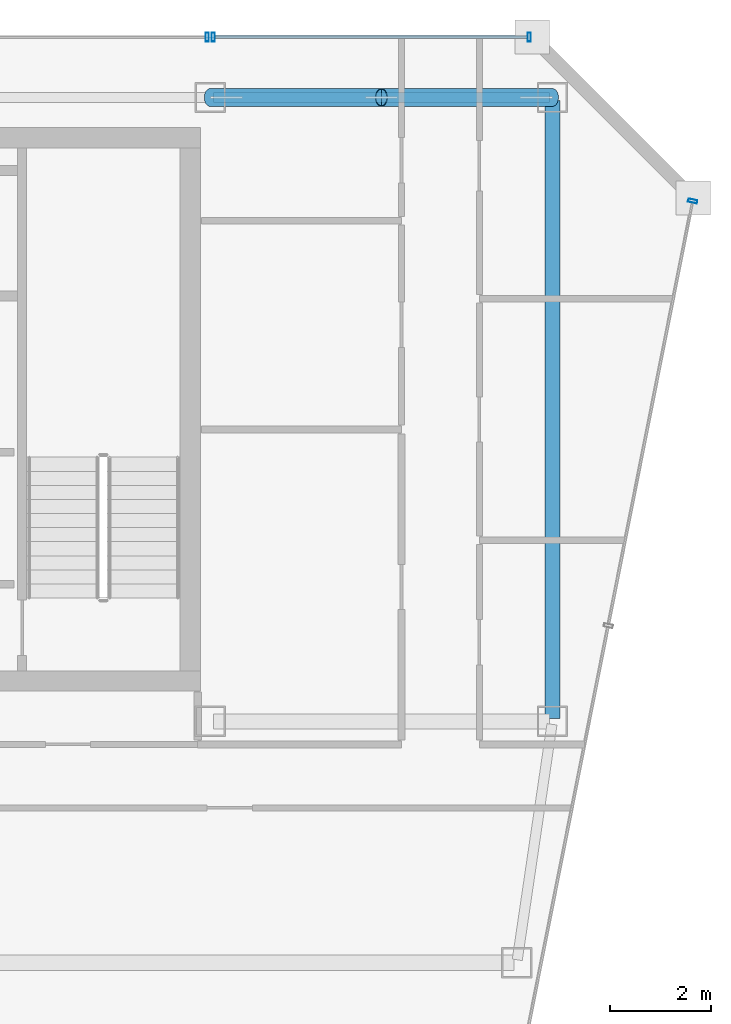
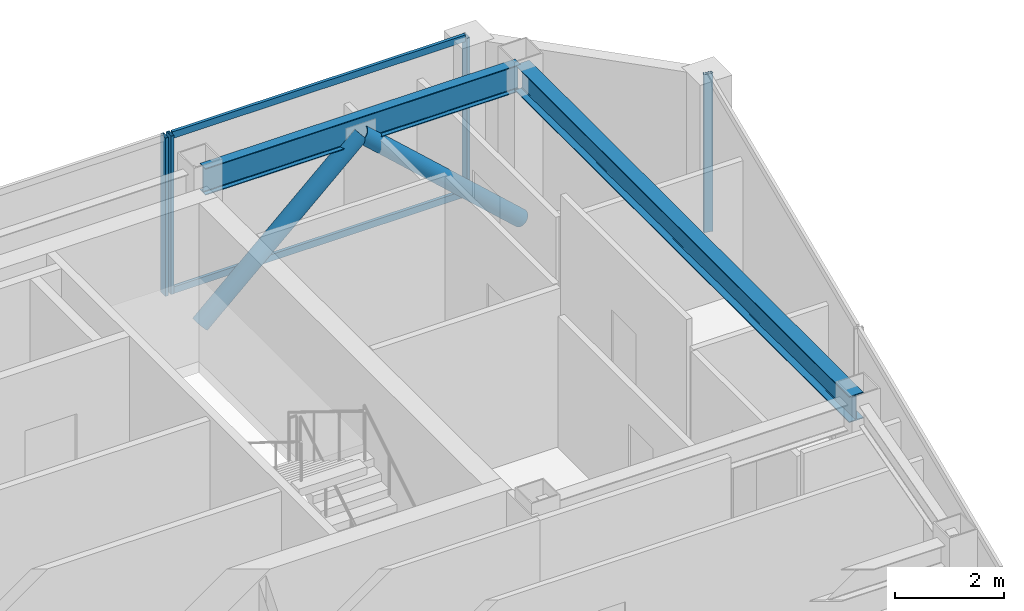
# One storey, part 16 of 23: 8 members, 2 beams, 3 elements without a shape of their own.
"""IFC4 building model written with IfcOpenShell, lengths in metres."""

import ifcopenshell
import ifcopenshell.guid

model = None  # the IFC model being written
_history = None  # IfcOwnerHistory: only IFC2X3 demands one
_inside = {}  # id of a spatial element -> (the spatial element, [elements in it])
_under = {}  # id of a project, library or spatial element -> (it, [spatial elements below it])
_declared = {}  # id of a project -> (the project, [libraries it declares])
_typed = {}  # id of a type object -> (the type object, [elements of that type])
_made_of = {}  # id of a material, layer set ... -> (it, [elements and type objects made of it])


def new_model(schema):
    """Start an empty IFC model of exactly this schema.

    Asked for "IFC4X3", IfcOpenShell would pick the latest addendum, in which some entities
    have other attributes; the version numbers below select the first issue.
    IFC2X3 requires an IfcOwnerHistory on every rooted entity: one is made here for all.
    """
    global model, _history
    if schema == "IFC4X3":
        model = ifcopenshell.file(schema_version=(4, 3, 0, 0))
    else:
        model = ifcopenshell.file(schema=schema)
    _inside.clear()
    _under.clear()
    _declared.clear()
    _typed.clear()
    _made_of.clear()
    _history = None
    if model.schema == "IFC2X3":
        org = make("IfcOrganization", Name="unknown")
        user = make(
            "IfcPersonAndOrganization",
            ThePerson=make("IfcPerson", FamilyName="unknown"),
            TheOrganization=org,
        )
        app = make(
            "IfcApplication",
            ApplicationDeveloper=org,
            Version="unknown",
            ApplicationFullName="unknown",
            ApplicationIdentifier="unknown",
        )
        _history = make(
            "IfcOwnerHistory",
            OwningUser=user,
            OwningApplication=app,
            ChangeAction="ADDED",
            CreationDate=0,
        )
    return model


def make(cls, **values):
    """One entity of the class cls with the attributes given. An attribute that is None is left unset."""
    return model.create_entity(
        cls, **{name: value for name, value in values.items() if value is not None}
    )


def rooted(cls, **values):
    """An entity with a GlobalId (a new one), such as an element, a storey or a relation."""
    return make(cls, GlobalId=ifcopenshell.guid.new(), OwnerHistory=_history, **values)


def si_unit(unit_type, name, prefix=None):
    """IfcSIUnit, for example si_unit("LENGTHUNIT", "METRE", prefix="MILLI")."""
    return make("IfcSIUnit", UnitType=unit_type, Prefix=prefix, Name=name)


def assignment(units):
    """IfcUnitAssignment: the units of a project."""
    return None if units is None else make("IfcUnitAssignment", Units=units)


def point(xyz):
    """IfcCartesianPoint."""
    return None if xyz is None else make("IfcCartesianPoint", Coordinates=xyz)


def direction(xyz):
    """IfcDirection."""
    return None if xyz is None else make("IfcDirection", DirectionRatios=xyz)


def frame(location, z_axis=None, x_axis=None):
    """IfcAxis2Placement3D, a coordinate frame: its origin and axes. An axis left out is left unset."""
    return make(
        "IfcAxis2Placement3D",
        Location=point(location),
        Axis=direction(z_axis),
        RefDirection=direction(x_axis),
    )


def frame_2d(location, x_axis=None):
    """IfcAxis2Placement2D, a coordinate frame in the plane: its origin and x axis."""
    return make(
        "IfcAxis2Placement2D", Location=point(location), RefDirection=direction(x_axis)
    )


def origin():
    """The frame at (0, 0, 0) with its axes left unset."""
    return frame((0.0, 0.0, 0.0))


def origin_2d():
    """The frame at (0, 0) in the plane with its x axis left unset."""
    return frame_2d((0.0, 0.0))


def place(relative_to, where):
    """IfcLocalPlacement: puts the frame where relative to a parent placement (None: the world)."""
    return make(
        "IfcLocalPlacement", PlacementRelTo=relative_to, RelativePlacement=where
    )


def context(
    kind, dimensions, precision=None, world=None, true_north=None, identifier=None
):
    """IfcGeometricRepresentationContext, for example the 3D "Model" context."""
    return make(
        "IfcGeometricRepresentationContext",
        ContextIdentifier=identifier,
        ContextType=kind,
        CoordinateSpaceDimension=dimensions,
        Precision=precision,
        WorldCoordinateSystem=world,
        TrueNorth=true_north,
    )


def subcontext(parent, identifier, kind, view, scale=None):
    """IfcGeometricRepresentationSubContext, for example "Body" below "Model"."""
    return make(
        "IfcGeometricRepresentationSubContext",
        ContextIdentifier=identifier,
        ContextType=kind,
        ParentContext=parent,
        TargetScale=scale,
        TargetView=view,
    )


def project(units=None, contexts=None):
    """IfcProject with its units and contexts."""
    return rooted(
        "IfcProject",
        Name="project",
        RepresentationContexts=contexts,
        UnitsInContext=assignment(units),
    )


def spatial(cls, under=None, at=None, **own):
    """A site, building, storey or space (cls), placed at a placement, below another one or the project."""
    s = rooted(cls, ObjectPlacement=at, **own)
    if under is not None:
        _under.setdefault(under.id(), (under, []))[1].append(s)
    return s


def profile(cls, at=None, kind="AREA", **sizes):
    """A parametric profile (cls). Its sizes go by their IFC names, for example OverallWidth=200.0."""
    return make(cls, ProfileType=kind, Position=at, **sizes)


def hollow_rectangle(**sizes):
    """IfcRectangleHollowProfileDef."""
    return profile("IfcRectangleHollowProfileDef", **sizes)


def hollow_circle(**sizes):
    """IfcCircleHollowProfileDef."""
    return profile("IfcCircleHollowProfileDef", **sizes)


def i_section(**sizes):
    """IfcIShapeProfileDef."""
    return profile("IfcIShapeProfileDef", **sizes)


def extrude(swept, where, along, depth):
    """IfcExtrudedAreaSolid: the profile swept, set in the frame where, extruded along a direction by depth."""
    return make(
        "IfcExtrudedAreaSolid",
        SweptArea=swept,
        Position=where,
        ExtrudedDirection=direction(along),
        Depth=depth,
    )


def shape(context_of_items, identifier, shape_type, items):
    """IfcShapeRepresentation: the items that make up one representation, for example the "Body"."""
    return make(
        "IfcShapeRepresentation",
        ContextOfItems=context_of_items,
        RepresentationIdentifier=identifier,
        RepresentationType=shape_type,
        Items=items,
    )


def material(Name=None, Category=None):
    """IfcMaterial."""
    return make("IfcMaterial", Name=Name, Category=Category)


def material_profile(
    of_material, cross_section, Name=None, Category=None, Priority=None
):
    """IfcMaterialProfile: a cross section and its material."""
    return make(
        "IfcMaterialProfile",
        Name=Name,
        Material=of_material,
        Profile=cross_section,
        Priority=Priority,
        Category=Category,
    )


def profile_set(profiles, Name=None, composite=None):
    """IfcMaterialProfileSet."""
    return make(
        "IfcMaterialProfileSet",
        Name=Name,
        MaterialProfiles=profiles,
        CompositeProfile=composite,
    )


def made_of(thing, what):
    """Note that an element or type object is made of a material, layer set ...; save() writes the relation."""
    if what is not None:
        _made_of.setdefault(what.id(), (what, []))[1].append(thing)
    return thing


def type_object(cls, material=None, **own):
    """A type object (cls), such as IfcWallType, which elements share."""
    return made_of(rooted(cls, **own), material)


def element(
    cls,
    number,
    at=None,
    inside=None,
    cuts=None,
    type_object=None,
    material=None,
    context=None,
    identifier="Body",
    shape_type=None,
    held_by="IfcProductDefinitionShape",
    body=None,
    shapes=None,
    **own,
):
    """One element of the class cls, such as IfcWall. Its Tag is "e" and its number.

    at: its placement. inside: the storey or other place that contains it. cuts: it is an
    opening in that element (IfcRelVoidsElement). A single representation is given by context,
    identifier, shape_type and body (its items); several are given by shapes. held_by: the class
    of the entity that holds the representations. save() writes the other relations.
    """
    e = rooted(cls, Tag="e%d" % number, ObjectPlacement=at, **own)
    if body is not None:
        shapes = [shape(context, identifier, shape_type, body)]
    if shapes is not None:
        e.Representation = make(held_by, Representations=shapes)
    if inside is not None:
        _inside.setdefault(inside.id(), (inside, []))[1].append(e)
    if cuts is not None:
        rooted(
            "IfcRelVoidsElement", RelatingBuildingElement=cuts, RelatedOpeningElement=e
        )
    if type_object is not None:
        _typed.setdefault(type_object.id(), (type_object, []))[1].append(e)
    return made_of(e, material)


def aggregate(whole, parts):
    """IfcRelAggregates: a whole, such as a stair, and the parts it consists of."""
    return rooted("IfcRelAggregates", RelatingObject=whole, RelatedObjects=parts)


def save(model, path):
    """Write the relations noted so far, then the file.

    IfcRelAggregates (storeys below a building ...), IfcRelContainedInSpatialStructure (elements
    in a storey), IfcRelDefinesByType, IfcRelAssociatesMaterial and IfcRelDeclares: one each for
    every whole, place, type object, material and project.
    """
    for whole, parts in _under.values():
        aggregate(whole, parts)
    for where, things in _inside.values():
        rooted(
            "IfcRelContainedInSpatialStructure",
            RelatedElements=things,
            RelatingStructure=where,
        )
    for kind, things in _typed.values():
        rooted("IfcRelDefinesByType", RelatedObjects=things, RelatingType=kind)
    for what, things in _made_of.values():
        rooted("IfcRelAssociatesMaterial", RelatedObjects=things, RelatingMaterial=what)
    for by, libraries in _declared.values():
        rooted("IfcRelDeclares", RelatingContext=by, RelatedDefinitions=libraries)
    model.write(path)


model = new_model("IFC4")

# Units and contexts
model_context = context("Model", 3, precision=1e-05, world=origin(), true_north=direction((0.0, 1.0)))
body_context = subcontext(model_context, "Body", "Model", "MODEL_VIEW")
ifc_project = project(units=[si_unit("LENGTHUNIT", "METRE"), si_unit("AREAUNIT", "SQUARE_METRE"), si_unit("VOLUMEUNIT", "CUBIC_METRE"), si_unit("PLANEANGLEUNIT", "RADIAN"), si_unit("MASSUNIT", "GRAM", prefix="KILO")], contexts=[model_context])

# Site, building, storey
site_placement = place(None, origin())
site = spatial("IfcSite", under=ifc_project, at=site_placement, CompositionType="ELEMENT")
building_placement = place(site_placement, origin())
building = spatial("IfcBuilding", under=site, at=building_placement, Name="Saevonmaru Cultural Tower", CompositionType="ELEMENT")
storey_placement = place(building_placement, frame((0.0, 0.0, 302.800048828125)))
storey = spatial("IfcBuildingStorey", under=building, at=storey_placement, Name="L72", CompositionType="ELEMENT", Elevation=302.800048828125)

# Beams
ifc_material_1 = material(Name="Steel SM355", Category="steel")
ifc_material_profile_1 = material_profile(ifc_material_1, i_section(OverallWidth=0.300048828125, OverallDepth=0.587890625, WebThickness=0.011962890625, FlangeThickness=0.02001953125, FilletRadius=0.02392578125, at=origin_2d()), Name="H-588x300x12x20")
ifc_profile_set_1 = profile_set([ifc_material_profile_1], Name="Steel SM355")
beam_type_1 = type_object("IfcBeamType", Name="BM-G-H588", PredefinedType="BEAM", material=ifc_profile_set_1)
beam_1_placement = place(storey_placement, frame((53.199951171875, 54.739990234375, 3.255859375), z_axis=(0.0, -1.0, 0.0), x_axis=(1.0, 0.0, 0.0)))
element("IfcBeam", 1, at=beam_1_placement, inside=storey, type_object=beam_type_1, Name="L72 Spine Transverse Girder E", PredefinedType="BEAM", context=body_context, shape_type="SweptSolid", body=[
    extrude(i_section(OverallWidth=0.300048828125, OverallDepth=0.587890625, WebThickness=0.011962890625, FlangeThickness=0.02001953125, FilletRadius=0.02392578125, at=origin_2d()), origin(), (0.0, 0.0, 1.0), 12.280029296875),
])
ifc_material_profile_2 = material_profile(ifc_material_1, i_section(OverallWidth=0.199951171875, OverallDepth=0.60009765625, WebThickness=0.010986328125, FlangeThickness=0.01708984375, FilletRadius=0.02197265625, at=origin_2d()), Name="H-600x200x11x17")
ifc_profile_set_2 = profile_set([ifc_material_profile_2], Name="Steel SM355")
beam_type_2 = type_object("IfcBeamType", Name="BM-SP-H600", PredefinedType="SPANDREL", material=ifc_profile_set_2)
beam_2_placement = place(storey_placement, frame((46.4599609375, 54.800048828125, 3.25), z_axis=(1.0, 0.0, 0.0), x_axis=(0.0, 1.0, 0.0)))
element("IfcBeam", 2, at=beam_2_placement, inside=storey, type_object=beam_type_2, Name="L72 North Spine Girder 5", PredefinedType="SPANDREL", context=body_context, shape_type="SweptSolid", body=[
    extrude(i_section(OverallWidth=0.199951171875, OverallDepth=0.60009765625, WebThickness=0.010986328125, FlangeThickness=0.01708984375, FilletRadius=0.02197265625, at=origin_2d()), origin(), (0.0, 0.0, 1.0), 6.679931640625),
])

# Members
ifc_material_profile_3 = material_profile(ifc_material_1, hollow_circle(Radius=0.177734375, WallThickness=0.01611328125, at=origin_2d()), Name="CHS-355.6x16")
ifc_profile_set_3 = profile_set([ifc_material_profile_3], Name="Steel SM355")
member_type_1 = type_object("IfcMemberType", Name="MB-PBR-CHS356", PredefinedType="BRACE", material=ifc_profile_set_3)
member_1_placement = place(storey_placement, frame((46.39990234375, 54.800048828125, 0.02001953125), z_axis=(0.738986146064, 0.0, 0.673720621568), x_axis=(0.0, 1.0, 0.0)))
element("IfcMember", 3, at=member_1_placement, inside=storey, type_object=member_type_1, Name="L72 Perimeter Braced-Tube Diagonal EN1", PredefinedType="BRACE", context=body_context, shape_type="SweptSolid", body=[
    extrude(hollow_circle(Radius=0.177734375, WallThickness=0.01611328125, at=origin_2d()), origin(), (0.0, 0.0, 1.0), 4.60107421875),
])
member_2_placement = place(storey_placement, frame((53.199951171875, 54.800048828125, 0.02001953125), z_axis=(-0.738962060105, 0.0, 0.673747039864), x_axis=(0.0, -1.0, 0.0)))
element("IfcMember", 4, at=member_2_placement, inside=storey, type_object=member_type_1, Name="L72 Perimeter Braced-Tube Diagonal EN2", PredefinedType="BRACE", context=body_context, shape_type="SweptSolid", body=[
    extrude(hollow_circle(Radius=0.177734375, WallThickness=0.01611328125, at=origin_2d()), origin(), (0.0, 0.0, 1.0), 4.600830078125),
])

# Curtain wall, member
ifc_material_2 = material(Name="Satin Bronze Anodised Aluminium", Category="aluminium")
curtain_wall_type = type_object("IfcCurtainWallType", Name="CW-TYP-B", PredefinedType="NOTDEFINED", material=ifc_material_2)
curtain_wall_1_placement = place(storey_placement, origin())
curtain_wall_1 = element("IfcCurtainWall", 5, at=curtain_wall_1_placement, inside=storey, type_object=curtain_wall_type, Name="L72 Unitised Curtain Wall E8", PredefinedType="NOTDEFINED")
ifc_material_profile_4 = material_profile(ifc_material_2, hollow_rectangle(XDim=0.06494140625, YDim=0.179931640625, WallThickness=0.00390625, at=origin_2d()), Name="ALU-MULL-180x65x4")
ifc_profile_set_4 = profile_set([ifc_material_profile_4], Name="Satin Bronze Anodised Aluminium")
member_type_2 = type_object("IfcMemberType", Name="ML-CW-180x65", PredefinedType="MULLION", material=ifc_profile_set_4)
member_3_placement = place(storey_placement, frame((55.98828125, 52.7412109375, 0.0), z_axis=(0.0, 0.0, 1.0), x_axis=(0.195005484813, 0.980802151758, 0.0)))
member_3 = element("IfcMember", 6, at=member_3_placement, type_object=member_type_2, Name="CW-TW-L72-E8 mullion 3", PredefinedType="MULLION", context=body_context, shape_type="SweptSolid", body=[
    extrude(hollow_rectangle(XDim=0.06494140625, YDim=0.179931640625, WallThickness=0.00390625, at=origin_2d()), origin(), (0.0, 0.0, 1.0), 3.550048828125),
])
aggregate(curtain_wall_1, [member_3])

# Curtain wall, members
curtain_wall_2_placement = place(storey_placement, origin())
curtain_wall_2 = element("IfcCurtainWall", 7, at=curtain_wall_2_placement, inside=storey, type_object=curtain_wall_type, Name="L72 East Braced Bay Spandrel Curtain Wall E10A", PredefinedType="NOTDEFINED")
member_4_placement = place(storey_placement, frame((52.739990234375, 56.0, 0.0), z_axis=(0.0, 0.0, 1.0), x_axis=(-1.0, 0.0, 0.0)))
member_4 = element("IfcMember", 8, at=member_4_placement, type_object=member_type_2, Name="CW-TW-L72-E10A mullion 1", PredefinedType="MULLION", context=body_context, shape_type="SweptSolid", body=[
    extrude(hollow_rectangle(XDim=0.06494140625, YDim=0.179931640625, WallThickness=0.00390625, at=origin_2d()), origin(), (0.0, 0.0, 1.0), 3.550048828125),
])
member_5_placement = place(storey_placement, frame((46.4599609375, 56.0, 0.0), z_axis=(0.0, 0.0, 1.0), x_axis=(-1.0, 0.0, 0.0)))
member_5 = element("IfcMember", 9, at=member_5_placement, type_object=member_type_2, Name="CW-TW-L72-E10A mullion 2", PredefinedType="MULLION", context=body_context, shape_type="SweptSolid", body=[
    extrude(hollow_rectangle(XDim=0.06494140625, YDim=0.179931640625, WallThickness=0.00390625, at=origin_2d()), origin(), (0.0, 0.0, 1.0), 3.550048828125),
])

# Curtain wall, member
curtain_wall_3_placement = place(storey_placement, origin())
curtain_wall_3 = element("IfcCurtainWall", 10, at=curtain_wall_3_placement, inside=storey, type_object=curtain_wall_type, Name="L72 North Spine Unitised Curtain Wall E10B", PredefinedType="NOTDEFINED")
member_6_placement = place(storey_placement, frame((46.340087890625, 56.0, 0.0), z_axis=(0.0, 0.0, 1.0), x_axis=(-1.0, 0.0, 0.0)))
member_6 = element("IfcMember", 11, at=member_6_placement, type_object=member_type_2, Name="CW-TW-L72-E10B mullion 1", PredefinedType="MULLION", context=body_context, shape_type="SweptSolid", body=[
    extrude(hollow_rectangle(XDim=0.06494140625, YDim=0.179931640625, WallThickness=0.00390625, at=origin_2d()), origin(), (0.0, 0.0, 1.0), 3.550048828125),
])
aggregate(curtain_wall_3, [member_6])

# Member
ifc_material_profile_5 = material_profile(ifc_material_2, hollow_rectangle(XDim=0.06494140625, YDim=0.14990234375, WallThickness=0.00390625, at=origin_2d()), Name="ALU-TRAN-150x65x4")
ifc_profile_set_5 = profile_set([ifc_material_profile_5], Name="Satin Bronze Anodised Aluminium")
member_type_3 = type_object("IfcMemberType", Name="TR-CW-150x65", PredefinedType="USERDEFINED", material=ifc_profile_set_5)
member_7_placement = place(storey_placement, frame((52.70751953125, 56.0, 0.032470703125), z_axis=(-1.0, 0.0, 0.0), x_axis=(0.0, -1.0, 0.0)))
member_7 = element("IfcMember", 12, at=member_7_placement, type_object=member_type_3, Name="CW-TW-L72-E10A transom 1.1", ObjectType="TRANSOM", PredefinedType="USERDEFINED", context=body_context, shape_type="SweptSolid", body=[
    extrude(hollow_rectangle(XDim=0.06494140625, YDim=0.14990234375, WallThickness=0.00390625, at=origin_2d()), origin(), (0.0, 0.0, 1.0), 6.215087890625),
])

member_8_placement = place(storey_placement, frame((52.70751953125, 56.0, 3.517333984375), z_axis=(-1.0, 0.0, 0.0), x_axis=(0.0, -1.0, 0.0)))
member_8 = element("IfcMember", 13, at=member_8_placement, type_object=member_type_3, Name="CW-TW-L72-E10A transom 1.2", ObjectType="TRANSOM", PredefinedType="USERDEFINED", context=body_context, shape_type="SweptSolid", body=[
    extrude(hollow_rectangle(XDim=0.06494140625, YDim=0.14990234375, WallThickness=0.00390625, at=origin_2d()), origin(), (0.0, 0.0, 1.0), 6.215087890625),
])

aggregate(curtain_wall_2, [member_4, member_5, member_7, member_8])

save(model, "model.ifc")
